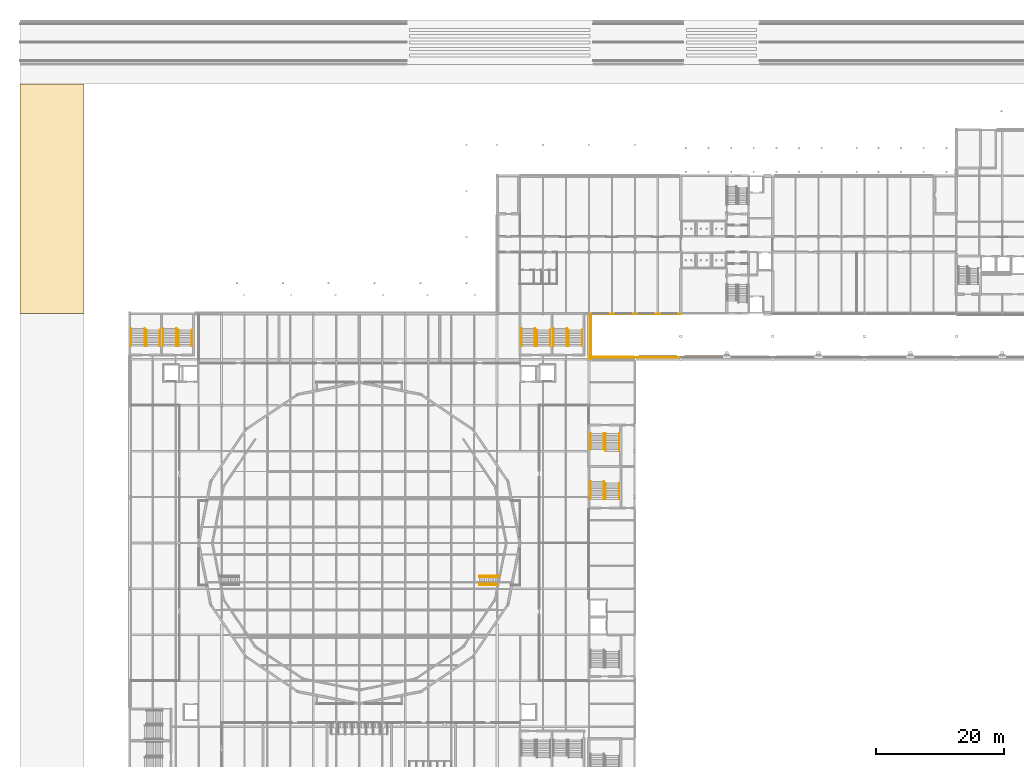
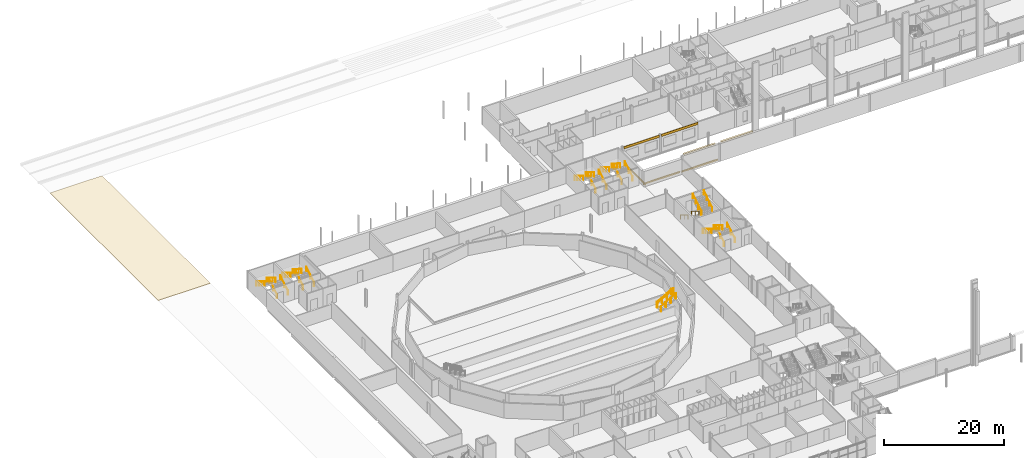
# One storey, part 82 of 90: 28 railings, 8 coverings.
"""IFC4 building model written with IfcOpenShell, lengths in metres."""

from ifc_helpers import new_model, si_unit, direction, frame, origin, origin_2d, place, context, subcontext, project, spatial, polyline, rectangle, circle, outline, extrude, material, layer, layer_set, type_object, element, save


model = new_model("IFC4")

# Units and contexts
model_context = context("Model", 3, precision=1e-05, world=origin(), true_north=direction((0.0, 1.0)))
body_context = subcontext(model_context, "Body", "Model", "MODEL_VIEW")
ifc_project = project(units=[si_unit("LENGTHUNIT", "METRE"), si_unit("AREAUNIT", "SQUARE_METRE"), si_unit("VOLUMEUNIT", "CUBIC_METRE"), si_unit("PLANEANGLEUNIT", "RADIAN"), si_unit("MASSUNIT", "GRAM", prefix="KILO")], contexts=[model_context])

# Site, building, storey
site_placement = place(None, origin())
site = spatial("IfcSite", under=ifc_project, at=site_placement, CompositionType="ELEMENT")
building_placement = place(site_placement, origin())
building = spatial("IfcBuilding", under=site, at=building_placement, Name="Kupolbacken Congress Centre", CompositionType="ELEMENT")
storey_placement = place(building_placement, frame((0.0, 0.0, 3.60009765625)))
storey = spatial("IfcBuildingStorey", under=building, at=storey_placement, Name="L01", CompositionType="ELEMENT", Elevation=3.60009765625)

# Coverings
ifc_material_1 = material(Name="Limestone cladding", Category="masonry")
ifc_layer_1 = layer(ifc_material_1, 0.1201171875)
ifc_layer_set_1 = layer_set([ifc_layer_1], Name="Limestone cladding")
covering_type_1 = type_object("IfcCoveringType", Name="CV1 limestone cladding band 120", PredefinedType="CLADDING", material=ifc_layer_set_1)
covering_1_placement = place(storey_placement, frame((79.47998046875, 118.69189453125, 0.0), z_axis=(0.0, 0.0, 1.0), x_axis=(0.0, 1.0, 0.0)))
element("IfcCovering", 1, at=covering_1_placement, inside=storey, type_object=covering_type_1, Name="E/P/E/L01/189/band", PredefinedType="CLADDING", context=body_context, shape_type="SweptSolid", body=[
    extrude(rectangle(XDim=6.98388671875, YDim=0.1201171875, at=origin_2d()), origin(), (0.0, 0.0, 1.0), 0.300048828125),
])
covering_2_placement = place(storey_placement, frame((82.800048828125, 122.282470703125, 3.119873046875), z_axis=(0.0, 0.0, 1.0), x_axis=(1.0, 0.0, 0.0)))
element("IfcCovering", 2, at=covering_2_placement, inside=storey, type_object=covering_type_1, Name="E/T/S/L01/007/band", PredefinedType="CLADDING", context=body_context, shape_type="SweptSolid", body=[
    extrude(rectangle(XDim=6.89306640625, YDim=0.06494140625, at=origin_2d()), origin(), (0.0, 0.0, 1.0), 0.47998046875),
])
covering_3_placement = place(storey_placement, frame((90.07666015625, 122.282470703125, 3.119873046875), z_axis=(0.0, 0.0, 1.0), x_axis=(1.0, 0.0, 0.0)))
element("IfcCovering", 3, at=covering_3_placement, inside=storey, type_object=covering_type_1, Name="E/T/S/L01/008/band", PredefinedType="CLADDING", context=body_context, shape_type="SweptSolid", body=[
    extrude(rectangle(XDim=7.04638671875, YDim=0.06494140625, at=origin_2d()), origin(), (0.0, 0.0, 1.0), 0.47998046875),
])
ifc_material_2 = material(Name="Brick cladding", Category="masonry")
ifc_layer_2 = layer(ifc_material_2, 0.10791015625)
ifc_layer_set_2 = layer_set([ifc_layer_2], Name="Brick cladding")
covering_type_2 = type_object("IfcCoveringType", Name="CV2 brick cladding band 108", PredefinedType="CLADDING", material=ifc_layer_set_2)
covering_4_placement = place(storey_placement, frame((90.0, 115.464111328125, 0.0), z_axis=(0.0, 0.0, 1.0), x_axis=(-1.0, 0.0, 0.0)))
element("IfcCovering", 4, at=covering_4_placement, inside=storey, type_object=covering_type_2, Name="E/H/N/L01/170/band", PredefinedType="CLADDING", context=body_context, shape_type="SweptSolid", body=[
    extrude(rectangle(XDim=6.89990234375, YDim=0.10791015625, at=origin_2d()), origin(), (0.0, 0.0, 1.0), 0.300048828125),
])
covering_5_placement = place(storey_placement, frame((82.72509765625, 115.533935546875, 0.0), z_axis=(0.0, 0.0, 1.0), x_axis=(-1.0, 0.0, 0.0)))
element("IfcCovering", 5, at=covering_5_placement, inside=storey, type_object=covering_type_2, Name="E/LINK/N/L01/187/band", PredefinedType="CLADDING", context=body_context, shape_type="SweptSolid", body=[
    extrude(rectangle(XDim=7.050048828125, YDim=0.10791015625, at=origin_2d()), origin(), (0.0, 0.0, 1.0), 0.300048828125),
])
ifc_material_3 = material(Name="Limestone cladding", Category="masonry")
ifc_layer_3 = layer(ifc_material_3, 0.35009765625)
ifc_layer_set_3 = layer_set([ifc_layer_3], Name="Limestone cladding")
covering_type_3 = type_object("IfcCoveringType", Name="CV3 limestone pilaster strip 350", PredefinedType="CLADDING", material=ifc_layer_set_3)
for number, where, z_axis, x_axis, name in (
    (6, (90.0, 115.5849609375, 3.2998046875), (0.0, 0.0, 1.0), (1.0, 0.0, 0.0), "F/HR/H/N/string/7.2/00/0"),
    (7, (97.199951171875, 115.5849609375, 3.2998046875), (0.0, 0.0, 1.0), (1.0, 0.0, 0.0), "F/HR/H/N/string/7.2/01/0"),
):
    element("IfcCovering", number, at=place(storey_placement, frame(where, z_axis=z_axis, x_axis=x_axis)), inside=storey, type_object=covering_type_3, Name=name, PredefinedType="CLADDING", context=body_context, shape_type="SweptSolid", body=[
        extrude(rectangle(XDim=6.0, YDim=0.35009765625, at=origin_2d()), origin(), (0.0, 0.0, 1.0), 0.300048828125),
    ])
ifc_material_4 = material(Name="Grass", Category="soil")
ifc_layer_4 = layer(ifc_material_4, 0.10009765625)
ifc_layer_set_4 = layer_set([ifc_layer_4], Name="Grass")
covering_type_4 = type_object("IfcCoveringType", Name="GR2 grass surface 100", PredefinedType="FLOORING", material=ifc_layer_set_4)
covering_6_placement = place(storey_placement, frame((0.0, 0.0, 3.5)))
element("IfcCovering", 8, at=covering_6_placement, inside=storey, type_object=covering_type_4, Name="Grass, west hill 122", PredefinedType="FLOORING", context=body_context, shape_type="SweptSolid", body=[
    extrude(outline(polyline([(0.0, 122.39990234375), (-10.0, 122.39990234375), (-10.0, 158.39990234375), (0.0, 158.39990234375), (0.0, 122.39990234375)])), origin(), (0.0, 0.0, 1.0), 0.099853515625),
])

# Railings
ifc_material_5 = material(Name="Steel S235", Category="steel")
railing_type_1 = type_object("IfcRailingType", Name="RL1 guard 1100 steel balustrade", PredefinedType="GUARDRAIL", material=ifc_material_5)
railing_1_placement = place(storey_placement, frame((62.021728515625, 81.219970703125, 1.973876953125)))
element("IfcRailing", 9, at=railing_1_placement, inside=storey, type_object=railing_type_1, Name="PD/aisle/PA-S-2/Ga", PredefinedType="GUARDRAIL", context=body_context, shape_type="SweptSolid", body=[
    extrude(circle(Radius=0.02392578125, at=origin_2d()), frame((0.0, 0.0, 1.076171875), z_axis=(0.864769934467, 0.0, 0.502168259094), x_axis=(0.0, 1.0, 0.0)), (0.0, 0.0, 1.0), 3.23779296875),
    extrude(circle(Radius=0.02392578125, at=origin_2d()), frame((2.800048828125, 0.0, 2.7021484375), z_axis=(1.0, 0.0, 0.0), x_axis=(0.0, 1.0, 0.0)), (0.0, 0.0, 1.0), 0.375),
    extrude(circle(Radius=0.02099609375, at=origin_2d()), origin(), (0.0, 0.0, 1.0), 1.052001953125),
    extrude(circle(Radius=0.02099609375, at=origin_2d()), frame((0.933349609375, 0.0, 0.5419921875)), (0.0, 0.0, 1.0), 1.052001953125),
    extrude(circle(Radius=0.02099609375, at=origin_2d()), frame((1.86669921875, 0.0, 1.083984375)), (0.0, 0.0, 1.0), 1.052001953125),
    extrude(circle(Radius=0.02099609375, at=origin_2d()), frame((2.800048828125, 0.0, 1.6259765625)), (0.0, 0.0, 1.0), 1.052001953125),
    extrude(circle(Radius=0.02099609375, at=origin_2d()), frame((3.175048828125, 0.0, 1.6259765625)), (0.0, 0.0, 1.0), 1.052001953125),
])
railing_2_placement = place(storey_placement, frame((62.021728515625, 79.780029296875, 1.973876953125)))
element("IfcRailing", 10, at=railing_2_placement, inside=storey, type_object=railing_type_1, Name="PD/aisle/PA-S-2/Gb", PredefinedType="GUARDRAIL", context=body_context, shape_type="SweptSolid", body=[
    extrude(circle(Radius=0.02392578125, at=origin_2d()), frame((0.0, 0.0, 1.076171875), z_axis=(0.864769934467, 0.0, 0.502168259094), x_axis=(0.0, 1.0, 0.0)), (0.0, 0.0, 1.0), 3.23779296875),
    extrude(circle(Radius=0.02392578125, at=origin_2d()), frame((2.800048828125, 0.0, 2.7021484375), z_axis=(1.0, 0.0, 0.0), x_axis=(0.0, 1.0, 0.0)), (0.0, 0.0, 1.0), 0.09130859375),
    extrude(circle(Radius=0.02099609375, at=origin_2d()), origin(), (0.0, 0.0, 1.0), 1.052001953125),
    extrude(circle(Radius=0.02099609375, at=origin_2d()), frame((0.933349609375, 0.0, 0.5419921875)), (0.0, 0.0, 1.0), 1.052001953125),
    extrude(circle(Radius=0.02099609375, at=origin_2d()), frame((1.86669921875, 0.0, 1.083984375)), (0.0, 0.0, 1.0), 1.052001953125),
    extrude(circle(Radius=0.02099609375, at=origin_2d()), frame((2.800048828125, 0.0, 1.6259765625)), (0.0, 0.0, 1.0), 1.052001953125),
    extrude(circle(Radius=0.02099609375, at=origin_2d()), frame((2.891357421875, 0.0, 1.6259765625)), (0.0, 0.0, 1.0), 1.052001953125),
])
ifc_material_6 = material(Name="Steel S235", Category="steel")
railing_type_2 = type_object("IfcRailingType", Name="RL3 handrail wall-mounted 900", PredefinedType="HANDRAIL", material=ifc_material_6)
for number, where, name in (
    (11, (9.85009765625, 117.2548828125, 0.17138671875), "C/stair/PS1NW/L01/HR1L"),
    (12, (11.949951171875, 117.2548828125, 0.17138671875), "C/stair/PS1NW/L01/HR1R"),
):
    element("IfcRailing", number, at=place(storey_placement, frame(where)), inside=storey, type_object=railing_type_2, Name=name, PredefinedType="HANDRAIL", context=body_context, shape_type="SweptSolid", body=[
        extrude(circle(Radius=0.02392578125, at=origin_2d()), frame((0.0, 0.0, 0.8759765625), z_axis=(0.0, 0.852873080145, 0.522118290393), x_axis=(-1.0, 0.0, 0.0)), (0.0, 0.0, 1.0), 2.954833984375),
        extrude(circle(Radius=0.02099609375, at=origin_2d()), origin(), (0.0, 0.0, 1.0), 0.851806640625),
        extrude(circle(Radius=0.02099609375, at=origin_2d()), frame((0.0, 1.260009765625, 0.771484375)), (0.0, 0.0, 1.0), 0.851806640625),
        extrude(circle(Radius=0.02099609375, at=origin_2d()), frame((0.0, 2.52001953125, 1.542724609375)), (0.0, 0.0, 1.0), 0.851806640625),
    ])
for number, where, name in (
    (13, (9.550048828125, 120.054931640625, 1.885498046875), "C/stair/PS1NW/L01/HR2L"),
    (14, (7.449951171875, 120.054931640625, 1.885498046875), "C/stair/PS1NW/L01/HR2R"),
):
    element("IfcRailing", number, at=place(storey_placement, frame(where)), inside=storey, type_object=railing_type_2, Name=name, PredefinedType="HANDRAIL", context=body_context, shape_type="SweptSolid", body=[
        extrude(circle(Radius=0.02392578125, at=origin_2d()), frame((0.0, 0.0, 0.8759765625), z_axis=(0.0, -0.852845897599, 0.522162690116), x_axis=(1.0, 0.0, 0.0)), (0.0, 0.0, 1.0), 3.283203125),
        extrude(circle(Radius=0.02099609375, at=origin_2d()), origin(), (0.0, 0.0, 1.0), 0.851806640625),
        extrude(circle(Radius=0.02099609375, at=origin_2d()), frame((0.0, -0.933349609375, 0.571533203125)), (0.0, 0.0, 1.0), 0.851806640625),
        extrude(circle(Radius=0.02099609375, at=origin_2d()), frame((0.0, -1.86669921875, 1.142822265625)), (0.0, 0.0, 1.0), 0.851806640625),
        extrude(circle(Radius=0.02099609375, at=origin_2d()), frame((0.0, -2.800048828125, 1.71435546875)), (0.0, 0.0, 1.0), 0.851806640625),
    ])
for number, where, name in (
    (15, (14.85009765625, 117.2548828125, 0.17138671875), "C/stair/PS2NW/L01/HR1L"),
    (16, (16.949951171875, 117.2548828125, 0.17138671875), "C/stair/PS2NW/L01/HR1R"),
):
    element("IfcRailing", number, at=place(storey_placement, frame(where)), inside=storey, type_object=railing_type_2, Name=name, PredefinedType="HANDRAIL", context=body_context, shape_type="SweptSolid", body=[
        extrude(circle(Radius=0.02392578125, at=origin_2d()), frame((0.0, 0.0, 0.8759765625), z_axis=(0.0, 0.852873080145, 0.522118290393), x_axis=(-1.0, 0.0, 0.0)), (0.0, 0.0, 1.0), 2.954833984375),
        extrude(circle(Radius=0.02099609375, at=origin_2d()), origin(), (0.0, 0.0, 1.0), 0.851806640625),
        extrude(circle(Radius=0.02099609375, at=origin_2d()), frame((0.0, 1.260009765625, 0.771484375)), (0.0, 0.0, 1.0), 0.851806640625),
        extrude(circle(Radius=0.02099609375, at=origin_2d()), frame((0.0, 2.52001953125, 1.542724609375)), (0.0, 0.0, 1.0), 0.851806640625),
    ])
for number, where, name in (
    (17, (14.550048828125, 120.054931640625, 1.885498046875), "C/stair/PS2NW/L01/HR2L"),
    (18, (12.449951171875, 120.054931640625, 1.885498046875), "C/stair/PS2NW/L01/HR2R"),
):
    element("IfcRailing", number, at=place(storey_placement, frame(where)), inside=storey, type_object=railing_type_2, Name=name, PredefinedType="HANDRAIL", context=body_context, shape_type="SweptSolid", body=[
        extrude(circle(Radius=0.02392578125, at=origin_2d()), frame((0.0, 0.0, 0.8759765625), z_axis=(0.0, -0.852845897599, 0.522162690116), x_axis=(1.0, 0.0, 0.0)), (0.0, 0.0, 1.0), 3.283203125),
        extrude(circle(Radius=0.02099609375, at=origin_2d()), origin(), (0.0, 0.0, 1.0), 0.851806640625),
        extrude(circle(Radius=0.02099609375, at=origin_2d()), frame((0.0, -0.933349609375, 0.571533203125)), (0.0, 0.0, 1.0), 0.851806640625),
        extrude(circle(Radius=0.02099609375, at=origin_2d()), frame((0.0, -1.86669921875, 1.142822265625)), (0.0, 0.0, 1.0), 0.851806640625),
        extrude(circle(Radius=0.02099609375, at=origin_2d()), frame((0.0, -2.800048828125, 1.71435546875)), (0.0, 0.0, 1.0), 0.851806640625),
    ])
for number, where, name in (
    (19, (71.050048828125, 117.2548828125, 0.17138671875), "C/stair/PS1NE/L01/HR1L"),
    (20, (73.14990234375, 117.2548828125, 0.17138671875), "C/stair/PS1NE/L01/HR1R"),
):
    element("IfcRailing", number, at=place(storey_placement, frame(where)), inside=storey, type_object=railing_type_2, Name=name, PredefinedType="HANDRAIL", context=body_context, shape_type="SweptSolid", body=[
        extrude(circle(Radius=0.02392578125, at=origin_2d()), frame((0.0, 0.0, 0.8759765625), z_axis=(0.0, 0.852873080145, 0.522118290393), x_axis=(-1.0, 0.0, 0.0)), (0.0, 0.0, 1.0), 2.954833984375),
        extrude(circle(Radius=0.02099609375, at=origin_2d()), origin(), (0.0, 0.0, 1.0), 0.851806640625),
        extrude(circle(Radius=0.02099609375, at=origin_2d()), frame((0.0, 1.260009765625, 0.771484375)), (0.0, 0.0, 1.0), 0.851806640625),
        extrude(circle(Radius=0.02099609375, at=origin_2d()), frame((0.0, 2.52001953125, 1.542724609375)), (0.0, 0.0, 1.0), 0.851806640625),
    ])
for number, where, name in (
    (21, (70.75, 120.054931640625, 1.885498046875), "C/stair/PS1NE/L01/HR2L"),
    (22, (68.64990234375, 120.054931640625, 1.885498046875), "C/stair/PS1NE/L01/HR2R"),
):
    element("IfcRailing", number, at=place(storey_placement, frame(where)), inside=storey, type_object=railing_type_2, Name=name, PredefinedType="HANDRAIL", context=body_context, shape_type="SweptSolid", body=[
        extrude(circle(Radius=0.02392578125, at=origin_2d()), frame((0.0, 0.0, 0.8759765625), z_axis=(0.0, -0.852845897599, 0.522162690116), x_axis=(1.0, 0.0, 0.0)), (0.0, 0.0, 1.0), 3.283203125),
        extrude(circle(Radius=0.02099609375, at=origin_2d()), origin(), (0.0, 0.0, 1.0), 0.851806640625),
        extrude(circle(Radius=0.02099609375, at=origin_2d()), frame((0.0, -0.933349609375, 0.571533203125)), (0.0, 0.0, 1.0), 0.851806640625),
        extrude(circle(Radius=0.02099609375, at=origin_2d()), frame((0.0, -1.86669921875, 1.142822265625)), (0.0, 0.0, 1.0), 0.851806640625),
        extrude(circle(Radius=0.02099609375, at=origin_2d()), frame((0.0, -2.800048828125, 1.71435546875)), (0.0, 0.0, 1.0), 0.851806640625),
    ])
for number, where, name in (
    (23, (76.050048828125, 117.2548828125, 0.17138671875), "C/stair/PS2NE/L01/HR1L"),
    (24, (78.14990234375, 117.2548828125, 0.17138671875), "C/stair/PS2NE/L01/HR1R"),
):
    element("IfcRailing", number, at=place(storey_placement, frame(where)), inside=storey, type_object=railing_type_2, Name=name, PredefinedType="HANDRAIL", context=body_context, shape_type="SweptSolid", body=[
        extrude(circle(Radius=0.02392578125, at=origin_2d()), frame((0.0, 0.0, 0.8759765625), z_axis=(0.0, 0.852873080145, 0.522118290393), x_axis=(-1.0, 0.0, 0.0)), (0.0, 0.0, 1.0), 2.954833984375),
        extrude(circle(Radius=0.02099609375, at=origin_2d()), origin(), (0.0, 0.0, 1.0), 0.851806640625),
        extrude(circle(Radius=0.02099609375, at=origin_2d()), frame((0.0, 1.260009765625, 0.771484375)), (0.0, 0.0, 1.0), 0.851806640625),
        extrude(circle(Radius=0.02099609375, at=origin_2d()), frame((0.0, 2.52001953125, 1.542724609375)), (0.0, 0.0, 1.0), 0.851806640625),
    ])
for number, where, name in (
    (25, (75.75, 120.054931640625, 1.885498046875), "C/stair/PS2NE/L01/HR2L"),
    (26, (73.64990234375, 120.054931640625, 1.885498046875), "C/stair/PS2NE/L01/HR2R"),
):
    element("IfcRailing", number, at=place(storey_placement, frame(where)), inside=storey, type_object=railing_type_2, Name=name, PredefinedType="HANDRAIL", context=body_context, shape_type="SweptSolid", body=[
        extrude(circle(Radius=0.02392578125, at=origin_2d()), frame((0.0, 0.0, 0.8759765625), z_axis=(0.0, -0.852845897599, 0.522162690116), x_axis=(1.0, 0.0, 0.0)), (0.0, 0.0, 1.0), 3.283203125),
        extrude(circle(Radius=0.02099609375, at=origin_2d()), origin(), (0.0, 0.0, 1.0), 0.851806640625),
        extrude(circle(Radius=0.02099609375, at=origin_2d()), frame((0.0, -0.933349609375, 0.571533203125)), (0.0, 0.0, 1.0), 0.851806640625),
        extrude(circle(Radius=0.02099609375, at=origin_2d()), frame((0.0, -1.86669921875, 1.142822265625)), (0.0, 0.0, 1.0), 0.851806640625),
        extrude(circle(Radius=0.02099609375, at=origin_2d()), frame((0.0, -2.800048828125, 1.71435546875)), (0.0, 0.0, 1.0), 0.851806640625),
    ])
for number, where, name in (
    (27, (81.85009765625, 93.2548828125, 0.17138671875), "C/stair/LS4/L01/HR1L"),
    (28, (83.949951171875, 93.2548828125, 0.17138671875), "C/stair/LS4/L01/HR1R"),
):
    element("IfcRailing", number, at=place(storey_placement, frame(where)), inside=storey, type_object=railing_type_2, Name=name, PredefinedType="HANDRAIL", context=body_context, shape_type="SweptSolid", body=[
        extrude(circle(Radius=0.02392578125, at=origin_2d()), frame((0.0, 0.0, 0.8759765625), z_axis=(0.0, 0.852873080145, 0.522118290393), x_axis=(-1.0, 0.0, 0.0)), (0.0, 0.0, 1.0), 2.954833984375),
        extrude(circle(Radius=0.02099609375, at=origin_2d()), origin(), (0.0, 0.0, 1.0), 0.851806640625),
        extrude(circle(Radius=0.02099609375, at=origin_2d()), frame((0.0, 1.260009765625, 0.771484375)), (0.0, 0.0, 1.0), 0.851806640625),
        extrude(circle(Radius=0.02099609375, at=origin_2d()), frame((0.0, 2.52001953125, 1.542724609375)), (0.0, 0.0, 1.0), 0.851806640625),
    ])
for number, where, name in (
    (29, (81.550048828125, 96.054931640625, 1.885498046875), "C/stair/LS4/L01/HR2L"),
    (30, (79.449951171875, 96.054931640625, 1.885498046875), "C/stair/LS4/L01/HR2R"),
):
    element("IfcRailing", number, at=place(storey_placement, frame(where)), inside=storey, type_object=railing_type_2, Name=name, PredefinedType="HANDRAIL", context=body_context, shape_type="SweptSolid", body=[
        extrude(circle(Radius=0.02392578125, at=origin_2d()), frame((0.0, 0.0, 0.8759765625), z_axis=(0.0, -0.852845897599, 0.522162690116), x_axis=(1.0, 0.0, 0.0)), (0.0, 0.0, 1.0), 3.283203125),
        extrude(circle(Radius=0.02099609375, at=origin_2d()), origin(), (0.0, 0.0, 1.0), 0.851806640625),
        extrude(circle(Radius=0.02099609375, at=origin_2d()), frame((0.0, -0.933349609375, 0.571533203125)), (0.0, 0.0, 1.0), 0.851806640625),
        extrude(circle(Radius=0.02099609375, at=origin_2d()), frame((0.0, -1.86669921875, 1.142822265625)), (0.0, 0.0, 1.0), 0.851806640625),
        extrude(circle(Radius=0.02099609375, at=origin_2d()), frame((0.0, -2.800048828125, 1.71435546875)), (0.0, 0.0, 1.0), 0.851806640625),
    ])
for number, where, name in (
    (31, (81.550048828125, 103.570068359375, 0.17138671875), "C/stair/LS2/L01/HR1L"),
    (32, (79.449951171875, 103.570068359375, 0.17138671875), "C/stair/LS2/L01/HR1R"),
):
    element("IfcRailing", number, at=place(storey_placement, frame(where)), inside=storey, type_object=railing_type_2, Name=name, PredefinedType="HANDRAIL", context=body_context, shape_type="SweptSolid", body=[
        extrude(circle(Radius=0.02392578125, at=origin_2d()), frame((0.0, 0.0, 0.8759765625), z_axis=(0.0, -0.852873080145, 0.522118290393), x_axis=(1.0, 0.0, 0.0)), (0.0, 0.0, 1.0), 2.954833984375),
        extrude(circle(Radius=0.02099609375, at=origin_2d()), origin(), (0.0, 0.0, 1.0), 0.851806640625),
        extrude(circle(Radius=0.02099609375, at=origin_2d()), frame((0.0, -1.260009765625, 0.771484375)), (0.0, 0.0, 1.0), 0.851806640625),
        extrude(circle(Radius=0.02099609375, at=origin_2d()), frame((0.0, -2.52001953125, 1.542724609375)), (0.0, 0.0, 1.0), 0.851806640625),
    ])
for number, where, name in (
    (33, (81.85009765625, 100.77001953125, 1.885498046875), "C/stair/LS2/L01/HR2L"),
    (34, (83.949951171875, 100.77001953125, 1.885498046875), "C/stair/LS2/L01/HR2R"),
):
    element("IfcRailing", number, at=place(storey_placement, frame(where)), inside=storey, type_object=railing_type_2, Name=name, PredefinedType="HANDRAIL", context=body_context, shape_type="SweptSolid", body=[
        extrude(circle(Radius=0.02392578125, at=origin_2d()), frame((0.0, 0.0, 0.8759765625), z_axis=(0.0, 0.852845897599, 0.522162690116), x_axis=(-1.0, 0.0, 0.0)), (0.0, 0.0, 1.0), 3.283203125),
        extrude(circle(Radius=0.02099609375, at=origin_2d()), origin(), (0.0, 0.0, 1.0), 0.851806640625),
        extrude(circle(Radius=0.02099609375, at=origin_2d()), frame((0.0, 0.933349609375, 0.571533203125)), (0.0, 0.0, 1.0), 0.851806640625),
        extrude(circle(Radius=0.02099609375, at=origin_2d()), frame((0.0, 1.86669921875, 1.142822265625)), (0.0, 0.0, 1.0), 0.851806640625),
        extrude(circle(Radius=0.02099609375, at=origin_2d()), frame((0.0, 2.800048828125, 1.71435546875)), (0.0, 0.0, 1.0), 0.851806640625),
    ])
for number, where, name in (
    (35, (62.021728515625, 81.050048828125, 1.973876953125), "PD/aisle/PA-S-2/HR1L"),
    (36, (62.021728515625, 79.949951171875, 1.973876953125), "PD/aisle/PA-S-2/HR1R"),
):
    element("IfcRailing", number, at=place(storey_placement, frame(where)), inside=storey, type_object=railing_type_2, Name=name, PredefinedType="HANDRAIL", context=body_context, shape_type="SweptSolid", body=[
        extrude(circle(Radius=0.02392578125, at=origin_2d()), frame((0.0, 0.0, 0.8759765625), z_axis=(0.864769934467, 0.0, 0.502168259094), x_axis=(0.0, 1.0, 0.0)), (0.0, 0.0, 1.0), 3.23779296875),
        extrude(circle(Radius=0.02099609375, at=origin_2d()), origin(), (0.0, 0.0, 1.0), 0.851806640625),
        extrude(circle(Radius=0.02099609375, at=origin_2d()), frame((0.933349609375, 0.0, 0.5419921875)), (0.0, 0.0, 1.0), 0.851806640625),
        extrude(circle(Radius=0.02099609375, at=origin_2d()), frame((1.86669921875, 0.0, 1.083984375)), (0.0, 0.0, 1.0), 0.851806640625),
        extrude(circle(Radius=0.02099609375, at=origin_2d()), frame((2.800048828125, 0.0, 1.6259765625)), (0.0, 0.0, 1.0), 0.851806640625),
    ])

save(model, "model.ifc")
